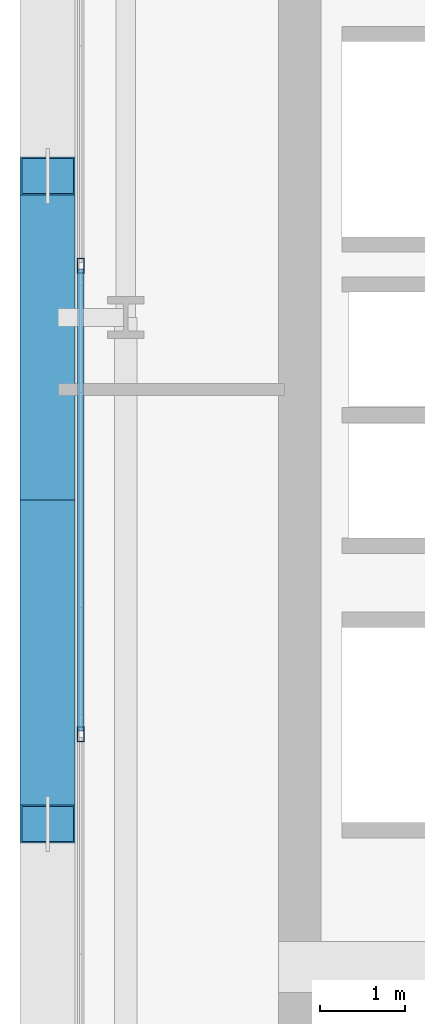
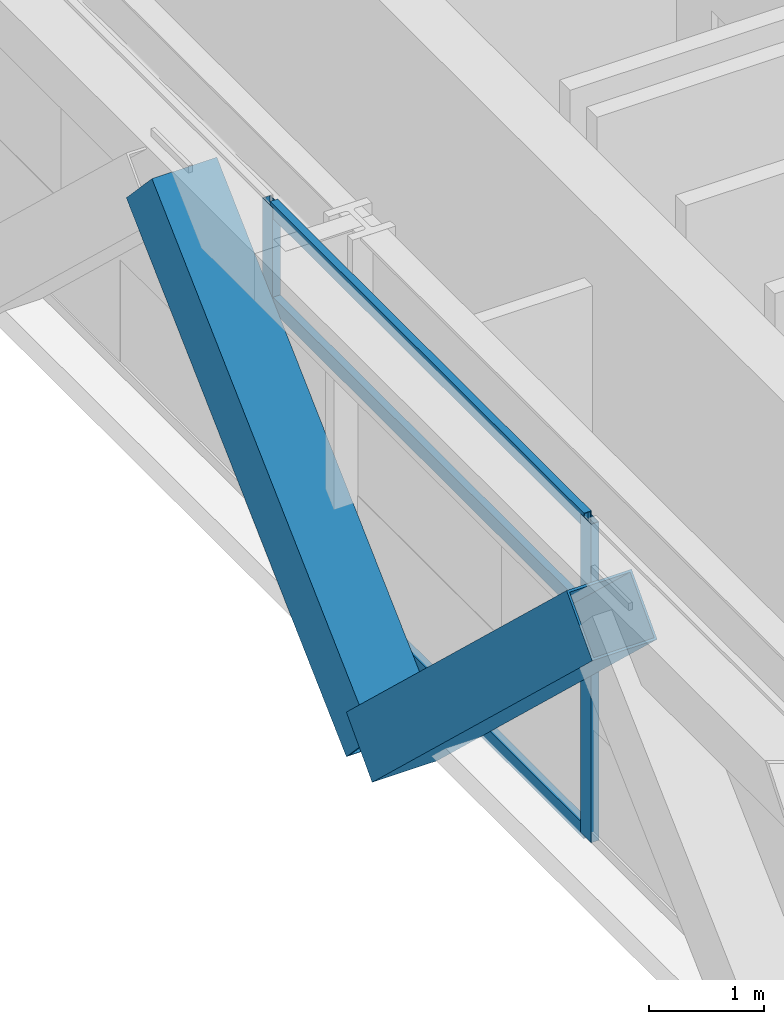
# One storey, part 8 of 38: 7 members, 1 element without a shape of its own.
"""IFC4 building model written with IfcOpenShell, lengths in metres."""

from ifc_helpers import new_model, si_unit, direction, frame, origin, origin_2d, place, context, subcontext, project, spatial, hollow_rectangle, extrude, source, transform, mapped, material, layer, layer_set, material_profile, profile_set, type_object, element, aggregate, save


model = new_model("IFC4")

# Units and contexts
model_context = context("Model", 3, precision=1e-05, world=origin(), true_north=direction((0.0, 1.0)))
body_context = subcontext(model_context, "Body", "Model", "MODEL_VIEW")
ifc_project = project(units=[si_unit("LENGTHUNIT", "METRE"), si_unit("AREAUNIT", "SQUARE_METRE"), si_unit("VOLUMEUNIT", "CUBIC_METRE"), si_unit("PLANEANGLEUNIT", "RADIAN"), si_unit("MASSUNIT", "GRAM", prefix="KILO")], contexts=[model_context])

# Site, building, storey
site_placement = place(None, origin())
site = spatial("IfcSite", under=ifc_project, at=site_placement, CompositionType="ELEMENT")
building_placement = place(site_placement, origin())
building = spatial("IfcBuilding", under=site, at=building_placement, Name="Ocotamira Hotel", CompositionType="ELEMENT")
storey_placement = place(building_placement, frame((0.0, 0.0, 170.39990234375)))
storey = spatial("IfcBuildingStorey", under=building, at=storey_placement, Name="L42", CompositionType="ELEMENT", Elevation=170.39990234375)

# Members
ifc_material_1 = material(Name="Pale-metal coated steel ASTM A913 Grade 65", Category="steel")
ifc_material_profile_1 = material_profile(ifc_material_1, hollow_rectangle(XDim=0.64990234375, YDim=0.64990234375, WallThickness=0.02197265625, at=origin_2d()), Name="BOX650X650X22")
ifc_profile_set_1 = profile_set([ifc_material_profile_1], Name="Pale-metal coated steel ASTM A913 Grade 65")
member_type_1 = type_object("IfcMemberType", Name="MEM-EXO-BOX650", PredefinedType="BRACE", material=ifc_profile_set_1)
shared_shape_1 = source(origin(), body_context, "Body", "SweptSolid", [
    extrude(hollow_rectangle(XDim=0.64990234375, YDim=0.64990234375, WallThickness=0.02197265625, at=origin_2d()), origin(), (0.0, 0.0, 1.0), 5.24658203125),
])
for number, where, z_axis, x_axis, name in (
    (1, (8.030029296875, 26.0, -0.47998046875), (0.0, -0.727442733726, 0.686168397078), (1.0, 0.0, 0.0), "L42 Exoskeleton Diagrid W1.1"),
    (2, (8.030029296875, 26.0, -0.47998046875), (0.0, 0.727442733726, 0.686168397078), (-1.0, 0.0, 0.0), "L42 Exoskeleton Diagrid W1.2"),
):
    element("IfcMember", number, at=place(storey_placement, frame(where, z_axis=z_axis, x_axis=x_axis)), inside=storey, type_object=member_type_1, Name=name, PredefinedType="BRACE", context=body_context, shape_type="MappedRepresentation", body=[
        mapped(shared_shape_1, transform((0.0, 0.0, 0.0), scale=1.0)),
    ])

# Curtain wall, members
ifc_material_2 = material(Name="Anodised pale-metal aluminium and solar glass", Category="aluminium")
ifc_layer = layer(ifc_material_2, 0.199951171875)
ifc_layer_set = layer_set([ifc_layer], Name="Anodised pale-metal aluminium and solar glass")
curtain_wall_type = type_object("IfcCurtainWallType", Name="CW-SYS4-Z3", PredefinedType="NOTDEFINED", material=ifc_layer_set)
curtain_wall_placement = place(storey_placement, origin())
curtain_wall = element("IfcCurtainWall", 3, at=curtain_wall_placement, inside=storey, type_object=curtain_wall_type, Name="L42 Curtain Wall CW-4 CW-L42-W", PredefinedType="NOTDEFINED")
ifc_material_3 = material(Name="Anodised pale-metal aluminium 6063-T6", Category="aluminium")
ifc_material_profile_2 = material_profile(ifc_material_3, hollow_rectangle(XDim=0.080078125, YDim=0.179931640625, WallThickness=0.006103515625, at=origin_2d()), Name="HSS180X80X6")
ifc_profile_set_2 = profile_set([ifc_material_profile_2], Name="Anodised pale-metal aluminium 6063-T6")
member_type_2 = type_object("IfcMemberType", Name="CWM-180X75", PredefinedType="MULLION", material=ifc_profile_set_2)
shared_shape_2 = source(origin(), body_context, "Body", "SweptSolid", [
    extrude(hollow_rectangle(XDim=0.080078125, YDim=0.179931640625, WallThickness=0.006103515625, at=origin_2d()), origin(), (0.0, 0.0, 1.0), 3.3701171875),
])
member_1_placement = place(storey_placement, frame((8.419921875, 23.239990234375, 0.0), z_axis=(0.0, 0.0, 1.0), x_axis=(-1.0, 0.0, 0.0)))
member_1 = element("IfcMember", 4, at=member_1_placement, type_object=member_type_2, Name="CW-4 mullion 3", PredefinedType="MULLION", context=body_context, shape_type="MappedRepresentation", body=[
    mapped(shared_shape_2, transform((0.0, 0.0, 0.0), scale=1.0)),
])
member_2_placement = place(storey_placement, frame((8.419921875, 28.760009765625, 0.0), z_axis=(0.0, 0.0, 1.0), x_axis=(-1.0, 0.0, 0.0)))
member_2 = element("IfcMember", 5, at=member_2_placement, type_object=member_type_2, Name="CW-4 mullion 4", PredefinedType="MULLION", context=body_context, shape_type="MappedRepresentation", body=[
    mapped(shared_shape_2, transform((0.0, 0.0, 0.0), scale=1.0)),
])
ifc_material_profile_3 = material_profile(ifc_material_3, hollow_rectangle(XDim=0.074951171875, YDim=0.14990234375, WallThickness=0.006103515625, at=origin_2d()), Name="HSS150X75X6")
ifc_profile_set_3 = profile_set([ifc_material_profile_3], Name="Anodised pale-metal aluminium 6063-T6")
member_type_3 = type_object("IfcMemberType", Name="CWT-150X75", PredefinedType="USERDEFINED", material=ifc_profile_set_3)
shared_shape_3 = source(origin(), body_context, "Body", "SweptSolid", [
    extrude(hollow_rectangle(XDim=0.074951171875, YDim=0.14990234375, WallThickness=0.006103515625, at=origin_2d()), origin(), (0.0, 0.0, 1.0), 5.43994140625),
])
member_3_placement = place(storey_placement, frame((8.419921875, 23.280029296875, 0.03759765625), z_axis=(0.0, 1.0, 0.0), x_axis=(-1.0, 0.0, 0.0)))
member_3 = element("IfcMember", 6, at=member_3_placement, type_object=member_type_3, Name="CW-4 transom 3.1", ObjectType="TRANSOM", PredefinedType="USERDEFINED", context=body_context, shape_type="MappedRepresentation", body=[
    mapped(shared_shape_3, transform((0.0, 0.0, 0.0), scale=1.0)),
])
member_4_placement = place(storey_placement, frame((8.419921875, 23.280029296875, 2.35009765625), z_axis=(0.0, 1.0, 0.0), x_axis=(-1.0, 0.0, 0.0)))
member_4 = element("IfcMember", 7, at=member_4_placement, type_object=member_type_3, Name="CW-4 transom 3.2", ObjectType="TRANSOM", PredefinedType="USERDEFINED", context=body_context, shape_type="MappedRepresentation", body=[
    mapped(shared_shape_3, transform((0.0, 0.0, 0.0), scale=1.0)),
])
member_5_placement = place(storey_placement, frame((8.419921875, 23.280029296875, 3.33251953125), z_axis=(0.0, 1.0, 0.0), x_axis=(-1.0, 0.0, 0.0)))
member_5 = element("IfcMember", 8, at=member_5_placement, type_object=member_type_3, Name="CW-4 transom 3.3", ObjectType="TRANSOM", PredefinedType="USERDEFINED", context=body_context, shape_type="MappedRepresentation", body=[
    mapped(shared_shape_3, transform((0.0, 0.0, 0.0), scale=1.0)),
])
aggregate(curtain_wall, [member_1, member_2, member_3, member_4, member_5])

save(model, "model.ifc")
